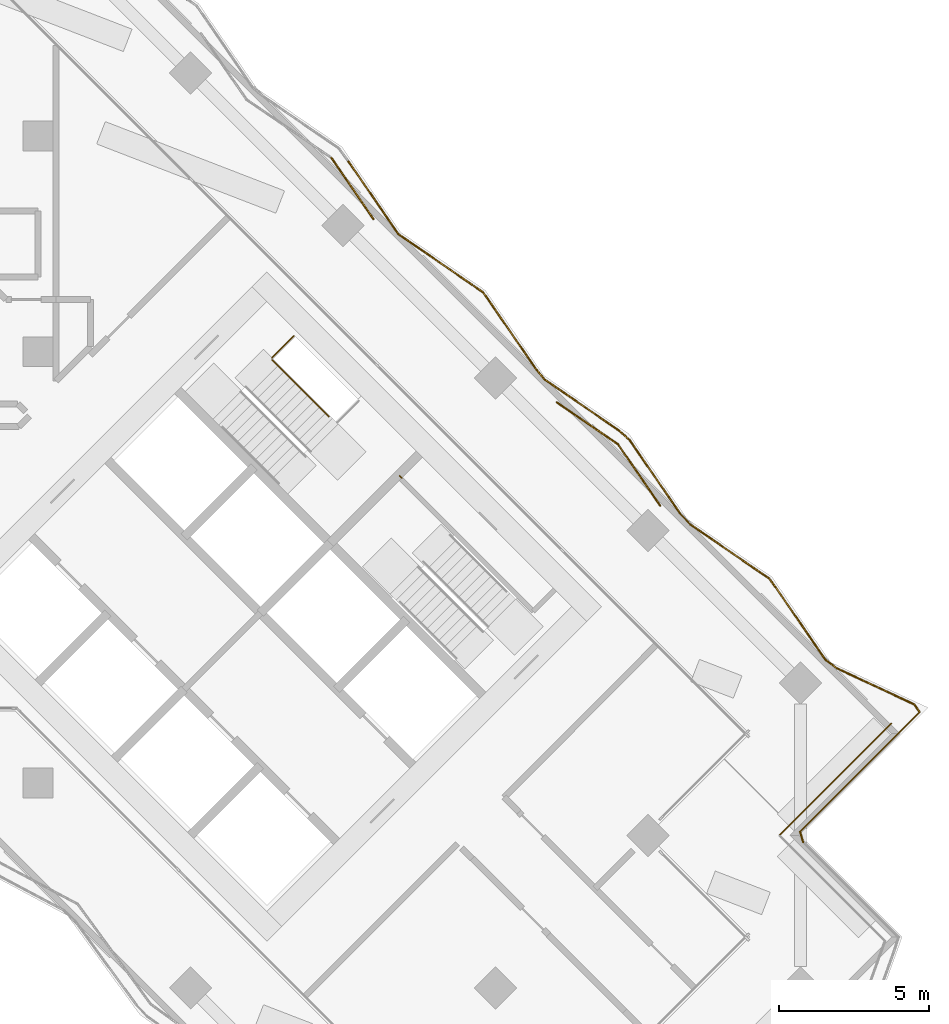
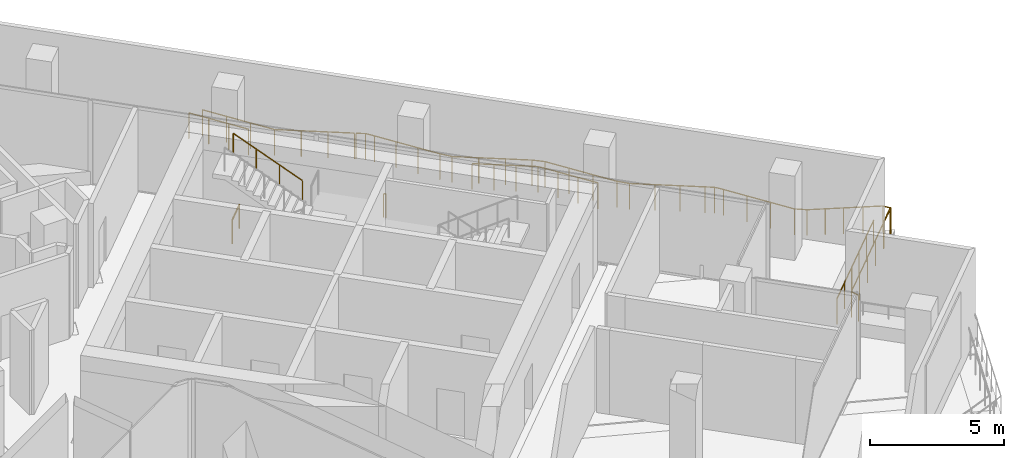
# One storey, part 22 of 23: 28 railings.
"""IFC4 building model written with IfcOpenShell, lengths in metres."""

from ifc_helpers import new_model, si_unit, direction, frame, origin, origin_2d, place, context, subcontext, project, spatial, circle, extrude, material, type_object, element, save


model = new_model("IFC4")

# Units and contexts
model_context = context("Model", 3, precision=1e-05, world=origin(), true_north=direction((0.0, 1.0)))
body_context = subcontext(model_context, "Body", "Model", "MODEL_VIEW")
ifc_project = project(units=[si_unit("LENGTHUNIT", "METRE"), si_unit("AREAUNIT", "SQUARE_METRE"), si_unit("VOLUMEUNIT", "CUBIC_METRE"), si_unit("PLANEANGLEUNIT", "RADIAN"), si_unit("MASSUNIT", "GRAM", prefix="KILO")], contexts=[model_context])

# Site, building, storey
site_placement = place(None, origin())
site = spatial("IfcSite", under=ifc_project, at=site_placement, CompositionType="ELEMENT")
building_placement = place(site_placement, origin())
building = spatial("IfcBuilding", under=site, at=building_placement, Name="Windrow Commons", CompositionType="ELEMENT")
storey_placement = place(building_placement, frame((0.0, 0.0, 122.0)))
storey = spatial("IfcBuildingStorey", under=building, at=storey_placement, Name="L33", CompositionType="ELEMENT", Elevation=122.0)

# Railings
ifc_material_1 = material(Name="Steel S355", Category="steel")
railing_type_1 = type_object("IfcRailingType", Name="Core stair guard 1100", PredefinedType="GUARDRAIL", material=ifc_material_1)
railing_1_placement = place(storey_placement, frame((87.0135, 57.3982, 0.0)))
element("IfcRailing", 1, at=railing_1_placement, inside=storey, type_object=railing_type_1, Name="L33 ST-B1 stair guard 3", PredefinedType="GUARDRAIL", context=body_context, shape_type="SweptSolid", body=[
    extrude(circle(Radius=0.024, at=origin_2d()), frame((0.0, 0.0, 1.076), z_axis=(0.7070582378, 0.7071553212, 0.0), x_axis=(-0.7071553212, 0.7070582378, 0.0)), (0.0, 0.0, 1.0), 1.03),
    extrude(circle(Radius=0.021, at=origin_2d()), origin(), (0.0, 0.0, 1.0), 1.052),
    extrude(circle(Radius=0.021, at=origin_2d()), frame((0.7283, 0.7284, 0.0)), (0.0, 0.0, 1.0), 1.052),
])
railing_2_placement = place(storey_placement, frame((91.3446, 53.3854, 2.1)))
element("IfcRailing", 2, at=railing_2_placement, inside=storey, type_object=railing_type_1, Name="L33 ST-B2 stair guard 3", PredefinedType="GUARDRAIL", context=body_context, shape_type="SweptSolid", body=[
    extrude(circle(Radius=0.024, at=origin_2d()), frame((0.0, 0.0, 1.076), z_axis=(-0.7076063266, 0.7066068826, 0.0), x_axis=(-0.7066068826, -0.7076063266, 0.0)), (0.0, 0.0, 1.0), 0.1001),
    extrude(circle(Radius=0.021, at=origin_2d()), origin(), (0.0, 0.0, 1.0), 1.052),
    extrude(circle(Radius=0.021, at=origin_2d()), frame((-0.0708, 0.0707, 0.0)), (0.0, 0.0, 1.0), 1.052),
])
ifc_material_2 = material(Name="Steel S355", Category="steel")
railing_type_2 = type_object("IfcRailingType", Name="Core stair handrail 900", PredefinedType="HANDRAIL", material=ifc_material_2)
railing_3_placement = place(storey_placement, frame((88.9086, 55.4325, 2.525)))
element("IfcRailing", 3, at=railing_3_placement, inside=storey, type_object=railing_type_2, Name="L33 ST-B1 stair handrail 2", PredefinedType="HANDRAIL", context=body_context, shape_type="SweptSolid", body=[
    extrude(circle(Radius=0.024, at=origin_2d()), frame((0.0, 0.0, 0.876), z_axis=(-0.599641512, 0.5996098703, 0.5299981703), x_axis=(-0.7070881243, -0.7071254376, 0.0)), (0.0, 0.0, 1.0), 3.1604),
    extrude(circle(Radius=0.021, at=origin_2d()), origin(), (0.0, 0.0, 1.0), 0.852),
    extrude(circle(Radius=0.021, at=origin_2d()), frame((-0.6317, 0.6317, 0.5583)), (0.0, 0.0, 1.0), 0.852),
    extrude(circle(Radius=0.021, at=origin_2d()), frame((-1.2634, 1.2633, 1.1167)), (0.0, 0.0, 1.0), 0.852),
    extrude(circle(Radius=0.021, at=origin_2d()), frame((-1.8951, 1.895, 1.675)), (0.0, 0.0, 1.0), 0.852),
])
ifc_material_3 = material(Name="Stainless steel S316 balustrade with toughened glass infill", Category="steel")
railing_type_3 = type_object("IfcRailingType", Name="Terrace guard 1200 podium", PredefinedType="BALUSTRADE", material=ifc_material_3)
railing_4_placement = place(storey_placement, frame((88.9918, 64.0771, 0.05)))
element("IfcRailing", 4, at=railing_4_placement, inside=storey, type_object=railing_type_3, Name="Guard TR-L33-1.E35", PredefinedType="BALUSTRADE", context=body_context, shape_type="SweptSolid", body=[
    extrude(circle(Radius=0.025, at=origin_2d()), frame((0.0, 0.0, 1.175), z_axis=(0.5657223157, -0.8245958171, 0.0), x_axis=(0.8245958171, 0.5657223157, 0.0)), (0.0, 0.0, 1.0), 2.4846),
    extrude(circle(Radius=0.02, at=origin_2d()), origin(), (0.0, 0.0, 1.0), 1.15),
    extrude(circle(Radius=0.02, at=origin_2d()), frame((0.4685, -0.6829, 0.0)), (0.0, 0.0, 1.0), 1.15),
    extrude(circle(Radius=0.02, at=origin_2d()), frame((0.9371, -1.3659, 0.0)), (0.0, 0.0, 1.0), 1.15),
    extrude(circle(Radius=0.02, at=origin_2d()), frame((1.4056, -2.0488, 0.0)), (0.0, 0.0, 1.0), 1.15),
])
railing_5_placement = place(storey_placement, frame((96.5151, 55.9107, 0.05)))
element("IfcRailing", 5, at=railing_5_placement, inside=storey, type_object=railing_type_3, Name="Guard TR-L33-1.E36", PredefinedType="BALUSTRADE", context=body_context, shape_type="SweptSolid", body=[
    extrude(circle(Radius=0.025, at=origin_2d()), frame((0.0, 0.0, 1.175), z_axis=(0.8245641592, -0.5657684574, 0.0), x_axis=(0.5657684574, 0.8245641592, 0.0)), (0.0, 0.0, 1.0), 2.4846),
    extrude(circle(Radius=0.02, at=origin_2d()), origin(), (0.0, 0.0, 1.0), 1.15),
    extrude(circle(Radius=0.02, at=origin_2d()), frame((0.6829, -0.4686, 0.0)), (0.0, 0.0, 1.0), 1.15),
    extrude(circle(Radius=0.02, at=origin_2d()), frame((1.3658, -0.9371, 0.0)), (0.0, 0.0, 1.0), 1.15),
    extrude(circle(Radius=0.02, at=origin_2d()), frame((2.0487, -1.4057, 0.0)), (0.0, 0.0, 1.0), 1.15),
])
railing_6_placement = place(storey_placement, frame((98.5638, 54.505, 0.05)))
element("IfcRailing", 6, at=railing_6_placement, inside=storey, type_object=railing_type_3, Name="Guard TR-L33-1.E37", PredefinedType="BALUSTRADE", context=body_context, shape_type="SweptSolid", body=[
    extrude(circle(Radius=0.025, at=origin_2d()), frame((0.0, 0.0, 1.175), z_axis=(0.5657496816, -0.8245770418, 0.0), x_axis=(0.8245770418, 0.5657496816, 0.0)), (0.0, 0.0, 1.0), 2.4847),
    extrude(circle(Radius=0.02, at=origin_2d()), origin(), (0.0, 0.0, 1.0), 1.15),
    extrude(circle(Radius=0.02, at=origin_2d()), frame((0.4686, -0.6829, 0.0)), (0.0, 0.0, 1.0), 1.15),
    extrude(circle(Radius=0.02, at=origin_2d()), frame((0.9371, -1.3659, 0.0)), (0.0, 0.0, 1.0), 1.15),
    extrude(circle(Radius=0.02, at=origin_2d()), frame((1.4057, -2.0488, 0.0)), (0.0, 0.0, 1.0), 1.15),
])
railing_7_placement = place(storey_placement, frame((107.6854, 45.1895, 0.05)))
element("IfcRailing", 7, at=railing_7_placement, inside=storey, type_object=railing_type_3, Name="Guard TR-L33-1.E38", PredefinedType="BALUSTRADE", context=body_context, shape_type="SweptSolid", body=[
    extrude(circle(Radius=0.025, at=origin_2d()), frame((0.0, 0.0, 1.175), z_axis=(-0.7071257047, -0.7070878571, 0.0), x_axis=(0.7070878571, -0.7071257047, 0.0)), (0.0, 0.0, 1.0), 5.2844),
    extrude(circle(Radius=0.02, at=origin_2d()), origin(), (0.0, 0.0, 1.0), 1.15),
    extrude(circle(Radius=0.02, at=origin_2d()), frame((-0.7473, -0.7473, 0.0)), (0.0, 0.0, 1.0), 1.15),
    extrude(circle(Radius=0.02, at=origin_2d()), frame((-1.4947, -1.4946, 0.0)), (0.0, 0.0, 1.0), 1.15),
    extrude(circle(Radius=0.02, at=origin_2d()), frame((-2.242, -2.2419, 0.0)), (0.0, 0.0, 1.0), 1.15),
    extrude(circle(Radius=0.02, at=origin_2d()), frame((-2.9894, -2.9892, 0.0)), (0.0, 0.0, 1.0), 1.15),
    extrude(circle(Radius=0.02, at=origin_2d()), frame((-3.7367, -3.7365, 0.0)), (0.0, 0.0, 1.0), 1.15),
])
railing_8_placement = place(storey_placement, frame((107.1061, 46.4532, 0.05)))
element("IfcRailing", 8, at=railing_8_placement, inside=storey, type_object=railing_type_3, Name="Guard TR-L33-1.C35", PredefinedType="BALUSTRADE", context=body_context, shape_type="SweptSolid", body=[
    extrude(circle(Radius=0.025, at=origin_2d()), frame((0.0, 0.0, 1.175), z_axis=(0.9061228242, -0.4230146895, 0.0), x_axis=(0.4230146895, 0.9061228242, 0.0)), (0.0, 0.0, 1.0), 1.4827),
    extrude(circle(Radius=0.02, at=origin_2d()), origin(), (0.0, 0.0, 1.0), 1.15),
    extrude(circle(Radius=0.02, at=origin_2d()), frame((0.6718, -0.3136, 0.0)), (0.0, 0.0, 1.0), 1.15),
    extrude(circle(Radius=0.02, at=origin_2d()), frame((1.3435, -0.6272, 0.0)), (0.0, 0.0, 1.0), 1.15),
])
railing_9_placement = place(storey_placement, frame((108.4496, 45.826, 0.05)))
element("IfcRailing", 9, at=railing_9_placement, inside=storey, type_object=railing_type_3, Name="Guard TR-L33-1.C36", PredefinedType="BALUSTRADE", context=body_context, shape_type="SweptSolid", body=[
    extrude(circle(Radius=0.025, at=origin_2d()), frame((0.0, 0.0, 1.175), z_axis=(0.5797916052, -0.8147648093, 0.0), x_axis=(0.8147648093, 0.5797916052, 0.0)), (0.0, 0.0, 1.0), 0.3141),
    extrude(circle(Radius=0.02, at=origin_2d()), origin(), (0.0, 0.0, 1.0), 1.15),
    extrude(circle(Radius=0.02, at=origin_2d()), frame((0.1821, -0.2559, 0.0)), (0.0, 0.0, 1.0), 1.15),
])
railing_10_placement = place(storey_placement, frame((108.6317, 45.5701, 0.05)))
element("IfcRailing", 10, at=railing_10_placement, inside=storey, type_object=railing_type_3, Name="Guard TR-L33-1.C37", PredefinedType="BALUSTRADE", context=body_context, shape_type="SweptSolid", body=[
    extrude(circle(Radius=0.025, at=origin_2d()), frame((0.0, 0.0, 1.175), z_axis=(-0.7071573629, -0.7070561959, 0.0), x_axis=(0.7070561959, -0.7071573629, 0.0)), (0.0, 0.0, 1.0), 0.9885),
    extrude(circle(Radius=0.02, at=origin_2d()), origin(), (0.0, 0.0, 1.0), 1.15),
    extrude(circle(Radius=0.02, at=origin_2d()), frame((-0.699, -0.6989, 0.0)), (0.0, 0.0, 1.0), 1.15),
])
railing_11_placement = place(storey_placement, frame((103.3121, 50.23, 0.05)))
element("IfcRailing", 11, at=railing_11_placement, inside=storey, type_object=railing_type_3, Name="Guard TR-L33-1.C38", PredefinedType="BALUSTRADE", context=body_context, shape_type="SweptSolid", body=[
    extrude(circle(Radius=0.025, at=origin_2d()), frame((0.0, 0.0, 1.175), z_axis=(0.8245980139, -0.5657191136, 0.0), x_axis=(0.5657191136, 0.8245980139, 0.0)), (0.0, 0.0, 1.0), 0.3565),
    extrude(circle(Radius=0.02, at=origin_2d()), origin(), (0.0, 0.0, 1.0), 1.15),
    extrude(circle(Radius=0.02, at=origin_2d()), frame((0.294, -0.2017, 0.0)), (0.0, 0.0, 1.0), 1.15),
])
railing_12_placement = place(storey_placement, frame((103.6061, 50.0283, 0.05)))
element("IfcRailing", 12, at=railing_12_placement, inside=storey, type_object=railing_type_3, Name="Guard TR-L33-1.C39", PredefinedType="BALUSTRADE", context=body_context, shape_type="SweptSolid", body=[
    extrude(circle(Radius=0.025, at=origin_2d()), frame((0.0, 0.0, 1.175), z_axis=(0.597331826, -0.8019941955, 0.0), x_axis=(0.8019941955, 0.597331826, 0.0)), (0.0, 0.0, 1.0), 0.3542),
    extrude(circle(Radius=0.02, at=origin_2d()), origin(), (0.0, 0.0, 1.0), 1.15),
    extrude(circle(Radius=0.02, at=origin_2d()), frame((0.2116, -0.2841, 0.0)), (0.0, 0.0, 1.0), 1.15),
])
railing_13_placement = place(storey_placement, frame((93.7529, 59.7932, 0.05)))
element("IfcRailing", 13, at=railing_13_placement, inside=storey, type_object=railing_type_3, Name="Guard TR-L33-1.C40", PredefinedType="BALUSTRADE", context=body_context, shape_type="SweptSolid", body=[
    extrude(circle(Radius=0.025, at=origin_2d()), frame((0.0, 0.0, 1.175), z_axis=(0.8245980139, -0.5657191136, 0.0), x_axis=(0.5657191136, 0.8245980139, 0.0)), (0.0, 0.0, 1.0), 0.3565),
    extrude(circle(Radius=0.02, at=origin_2d()), origin(), (0.0, 0.0, 1.0), 1.15),
    extrude(circle(Radius=0.02, at=origin_2d()), frame((0.294, -0.2017, 0.0)), (0.0, 0.0, 1.0), 1.15),
])
railing_14_placement = place(storey_placement, frame((94.0469, 59.5915, 0.05)))
element("IfcRailing", 14, at=railing_14_placement, inside=storey, type_object=railing_type_3, Name="Guard TR-L33-1.C41", PredefinedType="BALUSTRADE", context=body_context, shape_type="SweptSolid", body=[
    extrude(circle(Radius=0.025, at=origin_2d()), frame((0.0, 0.0, 1.175), z_axis=(0.5844308544, -0.811443514, 0.0), x_axis=(0.811443514, 0.5844308544, 0.0)), (0.0, 0.0, 1.0), 0.355),
    extrude(circle(Radius=0.02, at=origin_2d()), origin(), (0.0, 0.0, 1.0), 1.15),
    extrude(circle(Radius=0.02, at=origin_2d()), frame((0.2075, -0.2881, 0.0)), (0.0, 0.0, 1.0), 1.15),
])
railing_15_placement = place(storey_placement, frame((89.532, 63.9968, 0.05)))
element("IfcRailing", 15, at=railing_15_placement, inside=storey, type_object=railing_type_3, Name="Guard TR-L33-1.C124", PredefinedType="BALUSTRADE", context=body_context, shape_type="SweptSolid", body=[
    extrude(circle(Radius=0.025, at=origin_2d()), frame((0.0, 0.0, 1.175), z_axis=(0.5657423875, -0.8245820462, 0.0), x_axis=(0.8245820462, 0.5657423875, 0.0)), (0.0, 0.0, 1.0), 2.9961),
    extrude(circle(Radius=0.02, at=origin_2d()), origin(), (0.0, 0.0, 1.0), 1.15),
    extrude(circle(Radius=0.02, at=origin_2d()), frame((0.565, -0.8235, 0.0)), (0.0, 0.0, 1.0), 1.15),
    extrude(circle(Radius=0.02, at=origin_2d()), frame((1.13, -1.647, 0.0)), (0.0, 0.0, 1.0), 1.15),
    extrude(circle(Radius=0.02, at=origin_2d()), frame((1.695, -2.4705, 0.0)), (0.0, 0.0, 1.0), 1.15),
])
railing_16_placement = place(storey_placement, frame((91.227, 61.5263, 0.05)))
element("IfcRailing", 16, at=railing_16_placement, inside=storey, type_object=railing_type_3, Name="Guard TR-L33-1.C125", PredefinedType="BALUSTRADE", context=body_context, shape_type="SweptSolid", body=[
    extrude(circle(Radius=0.025, at=origin_2d()), frame((0.0, 0.0, 1.175), z_axis=(0.824571363, -0.5657579583, 0.0), x_axis=(0.5657579583, 0.824571363, 0.0)), (0.0, 0.0, 1.0), 2.996),
    extrude(circle(Radius=0.02, at=origin_2d()), origin(), (0.0, 0.0, 1.0), 1.15),
    extrude(circle(Radius=0.02, at=origin_2d()), frame((0.8235, -0.565, 0.0)), (0.0, 0.0, 1.0), 1.15),
    extrude(circle(Radius=0.02, at=origin_2d()), frame((1.6469, -1.13, 0.0)), (0.0, 0.0, 1.0), 1.15),
    extrude(circle(Radius=0.02, at=origin_2d()), frame((2.4704, -1.695, 0.0)), (0.0, 0.0, 1.0), 1.15),
])
railing_17_placement = place(storey_placement, frame((94.2544, 59.3034, 0.05)))
element("IfcRailing", 17, at=railing_17_placement, inside=storey, type_object=railing_type_3, Name="Guard TR-L33-1.C126", PredefinedType="BALUSTRADE", context=body_context, shape_type="SweptSolid", body=[
    extrude(circle(Radius=0.025, at=origin_2d()), frame((0.0, 0.0, 1.175), z_axis=(0.5657595234, -0.8245702891, 0.0), x_axis=(0.8245702891, 0.5657595234, 0.0)), (0.0, 0.0, 1.0), 2.7151),
    extrude(circle(Radius=0.02, at=origin_2d()), origin(), (0.0, 0.0, 1.0), 1.15),
    extrude(circle(Radius=0.02, at=origin_2d()), frame((0.512, -0.7463, 0.0)), (0.0, 0.0, 1.0), 1.15),
    extrude(circle(Radius=0.02, at=origin_2d()), frame((1.0241, -1.4925, 0.0)), (0.0, 0.0, 1.0), 1.15),
    extrude(circle(Radius=0.02, at=origin_2d()), frame((1.5361, -2.2388, 0.0)), (0.0, 0.0, 1.0), 1.15),
])
railing_18_placement = place(storey_placement, frame((95.7905, 57.0646, 0.05)))
element("IfcRailing", 18, at=railing_18_placement, inside=storey, type_object=railing_type_3, Name="Guard TR-L33-1.C127", PredefinedType="BALUSTRADE", context=body_context, shape_type="SweptSolid", body=[
    extrude(circle(Radius=0.025, at=origin_2d()), frame((0.0, 0.0, 1.175), z_axis=(0.6277286956, -0.7784321966, 0.0), x_axis=(0.7784321966, 0.6277286956, 0.0)), (0.0, 0.0, 1.0), 0.4937),
    extrude(circle(Radius=0.02, at=origin_2d()), origin(), (0.0, 0.0, 1.0), 1.15),
    extrude(circle(Radius=0.02, at=origin_2d()), frame((0.3099, -0.3843, 0.0)), (0.0, 0.0, 1.0), 1.15),
])
railing_19_placement = place(storey_placement, frame((96.1004, 56.6803, 0.05)))
element("IfcRailing", 19, at=railing_19_placement, inside=storey, type_object=railing_type_3, Name="Guard TR-L33-1.C128", PredefinedType="BALUSTRADE", context=body_context, shape_type="SweptSolid", body=[
    extrude(circle(Radius=0.025, at=origin_2d()), frame((0.0, 0.0, 1.175), z_axis=(0.8245664757, -0.5657650812, 0.0), x_axis=(0.5657650812, 0.8245664757, 0.0)), (0.0, 0.0, 1.0), 2.9961),
    extrude(circle(Radius=0.02, at=origin_2d()), origin(), (0.0, 0.0, 1.0), 1.15),
    extrude(circle(Radius=0.02, at=origin_2d()), frame((0.8235, -0.565, 0.0)), (0.0, 0.0, 1.0), 1.15),
    extrude(circle(Radius=0.02, at=origin_2d()), frame((1.647, -1.1301, 0.0)), (0.0, 0.0, 1.0), 1.15),
    extrude(circle(Radius=0.02, at=origin_2d()), frame((2.4705, -1.6951, 0.0)), (0.0, 0.0, 1.0), 1.15),
])
railing_20_placement = place(storey_placement, frame((98.5709, 54.9852, 0.05)))
element("IfcRailing", 20, at=railing_20_placement, inside=storey, type_object=railing_type_3, Name="Guard TR-L33-1.C129", PredefinedType="BALUSTRADE", context=body_context, shape_type="SweptSolid", body=[
    extrude(circle(Radius=0.025, at=origin_2d()), frame((0.0, 0.0, 1.175), z_axis=(0.7531555078, -0.6578425199, 0.0), x_axis=(0.6578425199, 0.7531555078, 0.0)), (0.0, 0.0, 1.0), 0.4921),
    extrude(circle(Radius=0.02, at=origin_2d()), origin(), (0.0, 0.0, 1.0), 1.15),
    extrude(circle(Radius=0.02, at=origin_2d()), frame((0.3706, -0.3237, 0.0)), (0.0, 0.0, 1.0), 1.15),
])
railing_21_placement = place(storey_placement, frame((98.9415, 54.6615, 0.05)))
element("IfcRailing", 21, at=railing_21_placement, inside=storey, type_object=railing_type_3, Name="Guard TR-L33-1.C130", PredefinedType="BALUSTRADE", context=body_context, shape_type="SweptSolid", body=[
    extrude(circle(Radius=0.025, at=origin_2d()), frame((0.0, 0.0, 1.175), z_axis=(0.5657579583, -0.824571363, 0.0), x_axis=(0.824571363, 0.5657579583, 0.0)), (0.0, 0.0, 1.0), 2.996),
    extrude(circle(Radius=0.02, at=origin_2d()), origin(), (0.0, 0.0, 1.0), 1.15),
    extrude(circle(Radius=0.02, at=origin_2d()), frame((0.565, -0.8235, 0.0)), (0.0, 0.0, 1.0), 1.15),
    extrude(circle(Radius=0.02, at=origin_2d()), frame((1.13, -1.6469, 0.0)), (0.0, 0.0, 1.0), 1.15),
    extrude(circle(Radius=0.02, at=origin_2d()), frame((1.695, -2.4704, 0.0)), (0.0, 0.0, 1.0), 1.15),
])
railing_22_placement = place(storey_placement, frame((100.6365, 52.1911, 0.05)))
element("IfcRailing", 22, at=railing_22_placement, inside=storey, type_object=railing_type_3, Name="Guard TR-L33-1.C131", PredefinedType="BALUSTRADE", context=body_context, shape_type="SweptSolid", body=[
    extrude(circle(Radius=0.025, at=origin_2d()), frame((0.0, 0.0, 1.175), z_axis=(0.686976197, -0.7266799191, 0.0), x_axis=(0.7266799191, 0.686976197, 0.0)), (0.0, 0.0, 1.0), 0.4911),
    extrude(circle(Radius=0.02, at=origin_2d()), origin(), (0.0, 0.0, 1.0), 1.15),
    extrude(circle(Radius=0.02, at=origin_2d()), frame((0.3374, -0.3569, 0.0)), (0.0, 0.0, 1.0), 1.15),
])
railing_23_placement = place(storey_placement, frame((100.9739, 51.8342, 0.05)))
element("IfcRailing", 23, at=railing_23_placement, inside=storey, type_object=railing_type_3, Name="Guard TR-L33-1.C132", PredefinedType="BALUSTRADE", context=body_context, shape_type="SweptSolid", body=[
    extrude(circle(Radius=0.025, at=origin_2d()), frame((0.0, 0.0, 1.175), z_axis=(0.8245869008, -0.5657353119, 0.0), x_axis=(0.5657353119, 0.8245869008, 0.0)), (0.0, 0.0, 1.0), 2.8356),
    extrude(circle(Radius=0.02, at=origin_2d()), origin(), (0.0, 0.0, 1.0), 1.15),
    extrude(circle(Radius=0.02, at=origin_2d()), frame((0.7794, -0.5347, 0.0)), (0.0, 0.0, 1.0), 1.15),
    extrude(circle(Radius=0.02, at=origin_2d()), frame((1.5588, -1.0695, 0.0)), (0.0, 0.0, 1.0), 1.15),
    extrude(circle(Radius=0.02, at=origin_2d()), frame((2.3382, -1.6042, 0.0)), (0.0, 0.0, 1.0), 1.15),
])
railing_24_placement = place(storey_placement, frame((103.8177, 49.7442, 0.05)))
element("IfcRailing", 24, at=railing_24_placement, inside=storey, type_object=railing_type_3, Name="Guard TR-L33-1.C133", PredefinedType="BALUSTRADE", context=body_context, shape_type="SweptSolid", body=[
    extrude(circle(Radius=0.025, at=origin_2d()), frame((0.0, 0.0, 1.175), z_axis=(0.5657238134, -0.8245947895, 0.0), x_axis=(0.8245947895, 0.5657238134, 0.0)), (0.0, 0.0, 1.0), 2.9428),
    extrude(circle(Radius=0.02, at=origin_2d()), origin(), (0.0, 0.0, 1.0), 1.15),
    extrude(circle(Radius=0.02, at=origin_2d()), frame((0.5549, -0.8089, 0.0)), (0.0, 0.0, 1.0), 1.15),
    extrude(circle(Radius=0.02, at=origin_2d()), frame((1.1099, -1.6177, 0.0)), (0.0, 0.0, 1.0), 1.15),
    extrude(circle(Radius=0.02, at=origin_2d()), frame((1.6648, -2.4266, 0.0)), (0.0, 0.0, 1.0), 1.15),
])
railing_25_placement = place(storey_placement, frame((105.4825, 47.3176, 0.05)))
element("IfcRailing", 25, at=railing_25_placement, inside=storey, type_object=railing_type_3, Name="Guard TR-L33-1.C134", PredefinedType="BALUSTRADE", context=body_context, shape_type="SweptSolid", body=[
    extrude(circle(Radius=0.025, at=origin_2d()), frame((0.0, 0.0, 1.175), z_axis=(0.8033920589, -0.5954504175, 0.0), x_axis=(0.5954504175, 0.8033920589, 0.0)), (0.0, 0.0, 1.0), 0.4828),
    extrude(circle(Radius=0.02, at=origin_2d()), origin(), (0.0, 0.0, 1.0), 1.15),
    extrude(circle(Radius=0.02, at=origin_2d()), frame((0.3879, -0.2875, 0.0)), (0.0, 0.0, 1.0), 1.15),
])
railing_26_placement = place(storey_placement, frame((105.8704, 47.0301, 0.05)))
element("IfcRailing", 26, at=railing_26_placement, inside=storey, type_object=railing_type_3, Name="Guard TR-L33-1.C135", PredefinedType="BALUSTRADE", context=body_context, shape_type="SweptSolid", body=[
    extrude(circle(Radius=0.025, at=origin_2d()), frame((0.0, 0.0, 1.175), z_axis=(0.906115688, -0.4230299752, 0.0), x_axis=(0.4230299752, 0.906115688, 0.0)), (0.0, 0.0, 1.0), 1.3637),
    extrude(circle(Radius=0.02, at=origin_2d()), origin(), (0.0, 0.0, 1.0), 1.15),
    extrude(circle(Radius=0.02, at=origin_2d()), frame((0.6178, -0.2884, 0.0)), (0.0, 0.0, 1.0), 1.15),
    extrude(circle(Radius=0.02, at=origin_2d()), frame((1.2357, -0.5769, 0.0)), (0.0, 0.0, 1.0), 1.15),
])
railing_27_placement = place(storey_placement, frame((107.9327, 44.8712, 0.05)))
element("IfcRailing", 27, at=railing_27_placement, inside=storey, type_object=railing_type_3, Name="Guard TR-L33-1.C136", PredefinedType="BALUSTRADE", context=body_context, shape_type="SweptSolid", body=[
    extrude(circle(Radius=0.025, at=origin_2d()), frame((0.0, 0.0, 1.175), z_axis=(-0.7071175129, -0.7070960493, 0.0), x_axis=(0.7070960493, -0.7071175129, 0.0)), (0.0, 0.0, 1.0), 4.6591),
    extrude(circle(Radius=0.02, at=origin_2d()), origin(), (0.0, 0.0, 1.0), 1.15),
    extrude(circle(Radius=0.02, at=origin_2d()), frame((-0.8236, -0.8236, 0.0)), (0.0, 0.0, 1.0), 1.15),
    extrude(circle(Radius=0.02, at=origin_2d()), frame((-1.6472, -1.6472, 0.0)), (0.0, 0.0, 1.0), 1.15),
    extrude(circle(Radius=0.02, at=origin_2d()), frame((-2.4709, -2.4708, 0.0)), (0.0, 0.0, 1.0), 1.15),
    extrude(circle(Radius=0.02, at=origin_2d()), frame((-3.2945, -3.2944, 0.0)), (0.0, 0.0, 1.0), 1.15),
])
railing_28_placement = place(storey_placement, frame((104.6382, 41.5768, 0.05)))
element("IfcRailing", 28, at=railing_28_placement, inside=storey, type_object=railing_type_3, Name="Guard TR-L33-1.C137", PredefinedType="BALUSTRADE", context=body_context, shape_type="SweptSolid", body=[
    extrude(circle(Radius=0.025, at=origin_2d()), frame((0.0, 0.0, 1.175), z_axis=(0.2860280884, -0.9582212337, 0.0), x_axis=(0.9582212337, 0.2860280884, 0.0)), (0.0, 0.0, 1.0), 0.3685),
    extrude(circle(Radius=0.02, at=origin_2d()), origin(), (0.0, 0.0, 1.0), 1.15),
    extrude(circle(Radius=0.02, at=origin_2d()), frame((0.1054, -0.3531, 0.0)), (0.0, 0.0, 1.0), 1.15),
])

save(model, "model.ifc")
